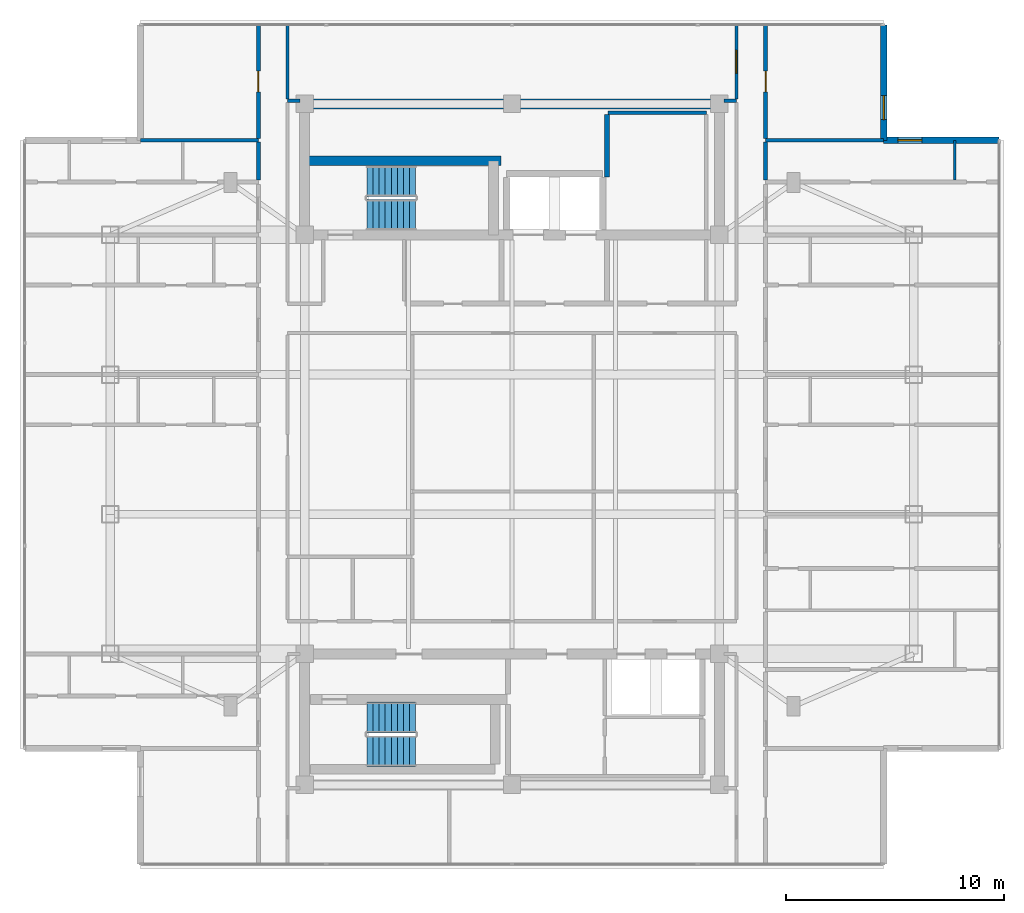
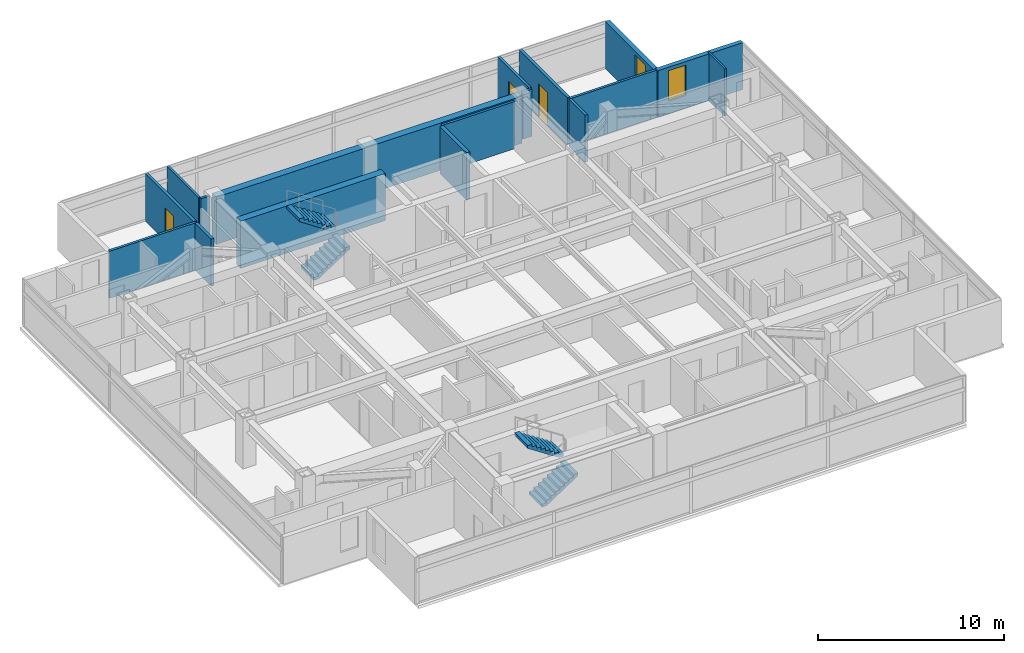
# One storey, part 11 of 14: 17 walls, 4 stair flights, 3 doors, 2 windows, 5 openings, 2 elements without a shape of their own.
"""IFC4 building model written with IfcOpenShell, lengths in metres."""

from ifc_helpers import new_model, si_unit, direction, frame, frame_2d, origin, place, context, subcontext, project, spatial, polyline, rectangle, outline, extrude, material, layer, layer_set, type_object, element, fill, aggregate, save


model = new_model("IFC4")

# Units and contexts
model_context = context("Model", 3, precision=1e-05, world=origin(), true_north=direction((0.0, 1.0)))
body_context = subcontext(model_context, "Body", "Model", "MODEL_VIEW")
ifc_project = project(units=[si_unit("LENGTHUNIT", "METRE"), si_unit("AREAUNIT", "SQUARE_METRE"), si_unit("VOLUMEUNIT", "CUBIC_METRE"), si_unit("PLANEANGLEUNIT", "RADIAN"), si_unit("MASSUNIT", "GRAM", prefix="KILO")], contexts=[model_context])

# Site, building, storey
site_placement = place(None, origin())
site = spatial("IfcSite", under=ifc_project, at=site_placement, CompositionType="ELEMENT")
building_placement = place(site_placement, origin())
building = spatial("IfcBuilding", under=site, at=building_placement, Name="Mirazonda Arch Towers", CompositionType="ELEMENT")
storey_placement = place(building_placement, frame((0.0, 0.0, 245.800048828125)))
storey = spatial("IfcBuildingStorey", under=building, at=storey_placement, Name="L70", CompositionType="ELEMENT", Elevation=245.800048828125)

# Walls
ifc_material_1 = material(Name="Concrete C50/60", Category="concrete")
ifc_layer_1 = layer(ifc_material_1, 0.449951171875, Name="WALL-CORE-450")
ifc_layer_set_1 = layer_set([ifc_layer_1], Name="Concrete C50/60")
wall_type_1 = type_object("IfcWallType", Name="WALL-CORE-450", PredefinedType="SHEAR", material=ifc_layer_set_1)
wall_1_placement = place(storey_placement, frame((11.0, 43.60009765625, 0.0), z_axis=(0.0, 0.0, 1.0), x_axis=(1.0, 0.0, 0.0)))
element("IfcWall", 1, at=wall_1_placement, inside=storey, type_object=wall_type_1, Name="L70 T1N-N Core Shear Wall", PredefinedType="SHEAR", context=body_context, shape_type="SweptSolid", body=[
    extrude(rectangle(XDim=19.0, YDim=0.449951171875, at=frame_2d((9.5, 0.0))), origin(), (0.0, 0.0, 1.0), 3.099853515625),
])
wall_2_placement = place(storey_placement, frame((11.0, 40.992919921875, 0.0), z_axis=(0.0, 0.0, 1.0), x_axis=(1.0, 0.0, 0.0)))
element("IfcWall", 2, at=wall_2_placement, inside=storey, type_object=wall_type_1, Name="L70 T1N-STN Core Shear Wall", PredefinedType="SHEAR", context=body_context, shape_type="SweptSolid", body=[
    extrude(rectangle(XDim=9.0, YDim=0.449951171875, at=frame_2d((4.5, 0.0))), origin(), (0.0, 0.0, 1.0), 3.099853515625),
])

# Wall, opening, window
ifc_material_2 = material(Name="Precast Concrete C40/50", Category="concrete")
ifc_layer_2 = layer(ifc_material_2, 0.280029296875, Name="WALL-EXT-WALL-280")
ifc_layer_set_2 = layer_set([ifc_layer_2], Name="Precast Concrete C40/50")
wall_type_2 = type_object("IfcWallType", Name="WALL-EXT-WALL-280", PredefinedType="SOLIDWALL", material=ifc_layer_set_2)
wall_3_placement = place(storey_placement, frame((37.530029296875, 41.93408203125, 0.0), z_axis=(0.0, 0.0, 1.0), x_axis=(0.0, 1.0, 0.0)))
wall_3 = element("IfcWall", 3, at=wall_3_placement, inside=storey, type_object=wall_type_2, Name="L70 T1 Notched NE Corner Wall WL-L70-T1-CNE", PredefinedType="SOLIDWALL", context=body_context, shape_type="SweptSolid", body=[
    extrude(rectangle(XDim=5.2900390625, YDim=0.280029296875, at=frame_2d((2.64501953125, 0.0))), origin(), (0.0, 0.0, 1.0), 3.079833984375),
])
opening_1_placement = place(wall_3_placement, frame((0.949951171875, 0.0, 0.85009765625)))
opening_1 = element("IfcOpeningElement", 4, at=opening_1_placement, cuts=wall_3, Name="Opening WN-108", PredefinedType="OPENING", context=body_context, shape_type="SweptSolid", body=[
    extrude(rectangle(XDim=1.10009765625, YDim=2.0, at=frame_2d((0.550048828125, 1.0))), frame((0.0, 0.14990234375, 0.0), z_axis=(0.0, -1.0, 0.0), x_axis=(1.0, 0.0, 0.0)), (0.0, 0.0, 1.0), 0.300048828125),
])
ifc_material_3 = material(Name="Insulated Low-E Solar Glass", Category="glass")
window_type = type_object("IfcWindowType", Name="WIN-NOTCH-1100x2000", PartitioningType="SINGLE_PANEL", PredefinedType="WINDOW", material=ifc_material_3)
window_1_placement = place(opening_1_placement, origin())
window_1 = element("IfcWindow", 5, at=window_1_placement, inside=storey, type_object=window_type, Name="L70 Punched Facade Window WN-L70-T1-CNE", OverallHeight=2.0, OverallWidth=1.10009765625, PartitioningType="SINGLE_PANEL", PredefinedType="WINDOW", context=body_context, shape_type="SweptSolid", body=[
    extrude(rectangle(XDim=1.10009765625, YDim=2.0, at=frame_2d((0.550048828125, 1.0))), frame((0.0, 0.030029296875, 0.0), z_axis=(0.0, -1.0, 0.0), x_axis=(1.0, 0.0, 0.0)), (0.0, 0.0, 1.0), 0.06005859375),
])
fill(opening_1, window_1)

wall_4_placement = place(storey_placement, frame((42.820068359375, 41.93408203125, 0.0), z_axis=(0.0, 0.0, 1.0), x_axis=(-1.0, 0.0, 0.0)))
wall_4 = element("IfcWall", 6, at=wall_4_placement, inside=storey, type_object=wall_type_2, Name="L70 T1 Corner Notch Return Wall WL-L70-T1-CNE2", PredefinedType="SOLIDWALL", context=body_context, shape_type="SweptSolid", body=[
    extrude(rectangle(XDim=5.2900390625, YDim=0.280029296875, at=frame_2d((2.64501953125, 0.0))), origin(), (0.0, 0.0, 1.0), 3.079833984375),
])
opening_2_placement = place(wall_4_placement, frame((3.5400390625, 0.0, 0.85009765625)))
opening_2 = element("IfcOpeningElement", 7, at=opening_2_placement, cuts=wall_4, Name="Opening WN-108", PredefinedType="OPENING", context=body_context, shape_type="SweptSolid", body=[
    extrude(rectangle(XDim=1.10009765625, YDim=2.0, at=frame_2d((0.550048828125, 1.0))), frame((0.0, 0.14990234375, 0.0), z_axis=(0.0, -1.0, 0.0), x_axis=(1.0, 0.0, 0.0)), (0.0, 0.0, 1.0), 0.300048828125),
])
window_2_placement = place(opening_2_placement, origin())
window_2 = element("IfcWindow", 8, at=window_2_placement, inside=storey, type_object=window_type, Name="L70 Punched Facade Window WN-L70-T1-CNE2", OverallHeight=2.0, OverallWidth=1.10009765625, PartitioningType="SINGLE_PANEL", PredefinedType="WINDOW", context=body_context, shape_type="SweptSolid", body=[
    extrude(rectangle(XDim=1.10009765625, YDim=2.0, at=frame_2d((0.550048828125, 1.0))), frame((0.0, 0.030029296875, 0.0), z_axis=(0.0, -1.0, 0.0), x_axis=(1.0, 0.0, 0.0)), (0.0, 0.0, 1.0), 0.06005859375),
])
fill(opening_2, window_2)

# Walls
ifc_material_4 = material(Name="Concrete C40/50", Category="concrete")
ifc_layer_3 = layer(ifc_material_4, 0.219970703125, Name="WALL-FFL-220")
ifc_layer_set_3 = layer_set([ifc_layer_3], Name="Concrete C40/50")
wall_type_3 = type_object("IfcWallType", Name="WALL-FFL-220", PredefinedType="SOLIDWALL", material=ifc_layer_set_3)
wall_5_placement = place(storey_placement, frame((24.85009765625, 40.260009765625, 0.0), z_axis=(0.0, 0.0, 1.0), x_axis=(0.0, 1.0, 0.0)))
element("IfcWall", 9, at=wall_5_placement, inside=storey, type_object=wall_type_3, Name="L70 Interior Partition 081", PredefinedType="SOLIDWALL", context=body_context, shape_type="SweptSolid", body=[
    extrude(rectangle(XDim=2.85498046875, YDim=0.219970703125, at=frame_2d((1.427490234375, 0.0))), origin(), (0.0, 0.0, 1.0), 3.099853515625),
])
ifc_material_5 = material(Name="Fire-Rated Gypsum Stud Partition")
ifc_layer_4 = layer(ifc_material_5, 0.14990234375, Name="WALL-PART-CORR-150")
ifc_layer_set_4 = layer_set([ifc_layer_4], Name="Fire-Rated Gypsum Stud Partition")
wall_type_4 = type_object("IfcWallType", Name="WALL-PART-CORR-150", PredefinedType="PARTITIONING", material=ifc_layer_set_4)
for number, where, z_axis, x_axis, name in (
    (10, (3.489990234375, 41.93408203125, 0.0), (0.0, 0.0, 1.0), (1.0, 0.0, 0.0), "L70 Interior Partition 034"),
    (11, (32.1201171875, 41.93408203125, 0.0), (0.0, 0.0, 1.0), (1.0, 0.0, 0.0), "L70 Interior Partition 035"),
):
    element("IfcWall", number, at=place(storey_placement, frame(where, z_axis=z_axis, x_axis=x_axis)), inside=storey, type_object=wall_type_4, Name=name, PredefinedType="PARTITIONING", context=body_context, shape_type="SweptSolid", body=[
        extrude(rectangle(XDim=5.389892578125, YDim=0.14990234375, at=frame_2d((2.69482421875, 0.0))), origin(), (0.0, 0.0, 1.0), 3.099853515625),
    ])
wall_6_placement = place(storey_placement, frame((24.89990234375, 43.199951171875, 0.0), z_axis=(0.0, 0.0, 1.0), x_axis=(1.0, 0.0, 0.0)))
element("IfcWall", 12, at=wall_6_placement, inside=storey, type_object=wall_type_4, Name="L70 Interior Partition 036", PredefinedType="PARTITIONING", context=body_context, shape_type="SweptSolid", body=[
    extrude(rectangle(XDim=4.5, YDim=0.14990234375, at=frame_2d((2.25, 0.0))), origin(), (0.0, 0.0, 1.0), 3.099853515625),
])
for number, where, z_axis, x_axis, name in (
    (13, (10.219970703125, 43.75, 0.0), (0.0, 0.0, 1.0), (1.0, 0.0, 0.0), "L70 Interior Partition 037"),
    (14, (30.219970703125, 43.75, 0.0), (0.0, 0.0, 1.0), (1.0, 0.0, 0.0), "L70 Interior Partition 038"),
):
    element("IfcWall", number, at=place(storey_placement, frame(where, z_axis=z_axis, x_axis=x_axis)), inside=storey, type_object=wall_type_4, Name=name, PredefinedType="PARTITIONING", context=body_context, shape_type="SweptSolid", body=[
        extrude(rectangle(XDim=0.56005859375, YDim=0.14990234375, at=frame_2d((0.280029296875, 0.0))), origin(), (0.0, 0.0, 1.0), 3.099853515625),
    ])
wall_7_placement = place(storey_placement, frame((10.219970703125, 43.8349609375, 0.0), z_axis=(0.0, 0.0, 1.0), x_axis=(0.0, 1.0, 0.0)))
element("IfcWall", 15, at=wall_7_placement, inside=storey, type_object=wall_type_4, Name="L70 Interior Partition 062", PredefinedType="PARTITIONING", context=body_context, shape_type="SweptSolid", body=[
    extrude(rectangle(XDim=3.38916015625, YDim=0.14990234375, at=frame_2d((1.694580078125, 0.0))), origin(), (0.0, 0.0, 1.0), 3.099853515625),
])

# Wall, opening, door
wall_8_placement = place(storey_placement, frame((30.780029296875, 43.8349609375, 0.0), z_axis=(0.0, 0.0, 1.0), x_axis=(0.0, 1.0, 0.0)))
wall_8 = element("IfcWall", 16, at=wall_8_placement, inside=storey, type_object=wall_type_4, Name="L70 Interior Partition 091", PredefinedType="PARTITIONING", context=body_context, shape_type="SweptSolid", body=[
    extrude(rectangle(XDim=3.38916015625, YDim=0.14990234375, at=frame_2d((1.694580078125, 0.0))), origin(), (0.0, 0.0, 1.0), 3.099853515625),
])
opening_3_placement = place(wall_8_placement, frame((1.16943359375, 0.0, 0.0)))
opening_3 = element("IfcOpeningElement", 17, at=opening_3_placement, cuts=wall_8, Name="Opening DR-121", PredefinedType="OPENING", context=body_context, shape_type="SweptSolid", body=[
    extrude(rectangle(XDim=1.050048828125, YDim=2.199951171875, at=frame_2d((0.52490234375, 1.10009765625))), frame((0.0, 0.0849609375, 0.0), z_axis=(0.0, -1.0, 0.0), x_axis=(1.0, 0.0, 0.0)), (0.0, 0.0, 1.0), 0.169921875),
])
ifc_material_6 = material(Name="Architectural Brushed Steel S355", Category="steel")
door_type_1 = type_object("IfcDoorType", Name="DOOR-SUITE-FD60-1050", OperationType="NOTDEFINED", PredefinedType="DOOR", material=ifc_material_6)
door_1_placement = place(opening_3_placement, origin())
door_1 = element("IfcDoor", 18, at=door_1_placement, inside=storey, type_object=door_type_1, Name="L70 North Bay Sunroom Suite Door", OperationType="SINGLE_SWING_RIGHT", OverallHeight=2.199951171875, OverallWidth=1.050048828125, PredefinedType="DOOR", context=body_context, shape_type="SweptSolid", body=[
    extrude(rectangle(XDim=1.050048828125, YDim=2.199951171875, at=frame_2d((0.52490234375, 1.10009765625))), frame((0.0, 0.02490234375, 0.0), z_axis=(0.0, -1.0, 0.0), x_axis=(1.0, 0.0, 0.0)), (0.0, 0.0, 1.0), 0.050048828125),
])
fill(opening_3, door_1)

# Wall
ifc_material_7 = material(Name="Fire-Rated Gypsum Twin-Stud Assembly")
ifc_layer_5 = layer(ifc_material_7, 0.179931640625, Name="WALL-PART-DEMISE-180")
ifc_layer_set_5 = layer_set([ifc_layer_5], Name="Fire-Rated Gypsum Twin-Stud Assembly")
wall_type_5 = type_object("IfcWallType", Name="WALL-PART-DEMISE-180", PredefinedType="PARTITIONING", material=ifc_layer_set_5)
wall_9_placement = place(storey_placement, frame((8.8798828125, 40.114013671875, 0.0), z_axis=(0.0, 0.0, 1.0), x_axis=(0.0, 1.0, 0.0)))
element("IfcWall", 19, at=wall_9_placement, inside=storey, type_object=wall_type_5, Name="L70 Interior Partition 055", PredefinedType="PARTITIONING", context=body_context, shape_type="SweptSolid", body=[
    extrude(rectangle(XDim=1.735107421875, YDim=0.179931640625, at=frame_2d((0.86767578125, 0.0))), origin(), (0.0, 0.0, 1.0), 3.099853515625),
])

# Wall, opening, door
wall_10_placement = place(storey_placement, frame((8.8798828125, 42.01904296875, 0.0), z_axis=(0.0, 0.0, 1.0), x_axis=(0.0, 1.0, 0.0)))
wall_10 = element("IfcWall", 20, at=wall_10_placement, inside=storey, type_object=wall_type_5, Name="L70 Interior Partition 056", PredefinedType="PARTITIONING", context=body_context, shape_type="SweptSolid", body=[
    extrude(rectangle(XDim=5.205078125, YDim=0.179931640625, at=frame_2d((2.6025390625, 0.0))), origin(), (0.0, 0.0, 1.0), 3.099853515625),
])
opening_4_placement = place(wall_10_placement, frame((2.12744140625, 0.0, 0.0)))
opening_4 = element("IfcOpeningElement", 21, at=opening_4_placement, cuts=wall_10, Name="Opening DR-104", PredefinedType="OPENING", context=body_context, shape_type="SweptSolid", body=[
    extrude(rectangle(XDim=0.949951171875, YDim=2.14990234375, at=frame_2d((0.47509765625, 1.074951171875))), frame((0.0, 0.099853515625, 0.0), z_axis=(0.0, -1.0, 0.0), x_axis=(1.0, 0.0, 0.0)), (0.0, 0.0, 1.0), 0.199951171875),
])
door_type_2 = type_object("IfcDoorType", Name="DOOR-ROOM-950", OperationType="NOTDEFINED", PredefinedType="DOOR", material=ifc_material_6)
door_2_placement = place(opening_4_placement, origin())
door_2 = element("IfcDoor", 22, at=door_2_placement, inside=storey, type_object=door_type_2, Name="L70 North Bay Sunroom Alcove West Door", OperationType="SINGLE_SWING_LEFT", OverallHeight=2.14990234375, OverallWidth=0.949951171875, PredefinedType="DOOR", context=body_context, shape_type="SweptSolid", body=[
    extrude(rectangle(XDim=0.949951171875, YDim=2.14990234375, at=frame_2d((0.47509765625, 1.074951171875))), frame((0.0, 0.02490234375, 0.0), z_axis=(0.0, -1.0, 0.0), x_axis=(1.0, 0.0, 0.0)), (0.0, 0.0, 1.0), 0.050048828125),
])
fill(opening_4, door_2)

# Wall
wall_11_placement = place(storey_placement, frame((32.1201171875, 40.114013671875, 0.0), z_axis=(0.0, 0.0, 1.0), x_axis=(0.0, 1.0, 0.0)))
element("IfcWall", 23, at=wall_11_placement, inside=storey, type_object=wall_type_5, Name="L70 Interior Partition 102", PredefinedType="PARTITIONING", context=body_context, shape_type="SweptSolid", body=[
    extrude(rectangle(XDim=1.735107421875, YDim=0.179931640625, at=frame_2d((0.86767578125, 0.0))), origin(), (0.0, 0.0, 1.0), 3.099853515625),
])

# Wall, opening, door
wall_12_placement = place(storey_placement, frame((32.1201171875, 42.01904296875, 0.0), z_axis=(0.0, 0.0, 1.0), x_axis=(0.0, 1.0, 0.0)))
wall_12 = element("IfcWall", 24, at=wall_12_placement, inside=storey, type_object=wall_type_5, Name="L70 Interior Partition 103", PredefinedType="PARTITIONING", context=body_context, shape_type="SweptSolid", body=[
    extrude(rectangle(XDim=5.205078125, YDim=0.179931640625, at=frame_2d((2.6025390625, 0.0))), origin(), (0.0, 0.0, 1.0), 3.099853515625),
])
opening_5_placement = place(wall_12_placement, frame((2.12744140625, 0.0, 0.0)))
opening_5 = element("IfcOpeningElement", 25, at=opening_5_placement, cuts=wall_12, Name="Opening DR-104", PredefinedType="OPENING", context=body_context, shape_type="SweptSolid", body=[
    extrude(rectangle(XDim=0.949951171875, YDim=2.14990234375, at=frame_2d((0.47509765625, 1.074951171875))), frame((0.0, 0.099853515625, 0.0), z_axis=(0.0, -1.0, 0.0), x_axis=(1.0, 0.0, 0.0)), (0.0, 0.0, 1.0), 0.199951171875),
])
door_3_placement = place(opening_5_placement, origin())
door_3 = element("IfcDoor", 26, at=door_3_placement, inside=storey, type_object=door_type_2, Name="L70 North Bay Sunroom Alcove East Door", OperationType="SINGLE_SWING_RIGHT", OverallHeight=2.14990234375, OverallWidth=0.949951171875, PredefinedType="DOOR", context=body_context, shape_type="SweptSolid", body=[
    extrude(rectangle(XDim=0.949951171875, YDim=2.14990234375, at=frame_2d((0.47509765625, 1.074951171875))), frame((0.0, 0.02490234375, 0.0), z_axis=(0.0, -1.0, 0.0), x_axis=(1.0, 0.0, 0.0)), (0.0, 0.0, 1.0), 0.050048828125),
])
fill(opening_5, door_3)

# Wall
ifc_material_8 = material(Name="Acoustic Fire-Rated Gypsum Partition")
ifc_layer_6 = layer(ifc_material_8, 0.125, Name="WALL-PART-UNIT-125")
ifc_layer_set_6 = layer_set([ifc_layer_6], Name="Acoustic Fire-Rated Gypsum Partition")
wall_type_6 = type_object("IfcWallType", Name="WALL-PART-UNIT-125", PredefinedType="PARTITIONING", material=ifc_layer_set_6)
wall_13_placement = place(storey_placement, frame((40.780029296875, 40.114013671875, 0.0), z_axis=(0.0, 0.0, 1.0), x_axis=(0.0, 1.0, 0.0)))
element("IfcWall", 27, at=wall_13_placement, inside=storey, type_object=wall_type_6, Name="L70 Interior Partition 108", PredefinedType="PARTITIONING", context=body_context, shape_type="SweptSolid", body=[
    extrude(rectangle(XDim=1.820068359375, YDim=0.125, at=frame_2d((0.91015625, 0.0))), origin(), (0.0, 0.0, 1.0), 3.099853515625),
])

# Stair, stair flights
stair_type = type_object("IfcStairType", Name="STAIR-CORE-1400", PredefinedType="HALF_TURN_STAIR", material=ifc_material_4)
stair_1_placement = place(storey_placement, origin())
stair_1 = element("IfcStair", 28, at=stair_1_placement, inside=storey, type_object=stair_type, Name="L70 Protected Exit Stair ST-T1N", PredefinedType="HALF_TURN_STAIR")
stair_flight_type = type_object("IfcStairFlightType", Name="FLIGHT-1400", PredefinedType="STRAIGHT", material=ifc_material_4)
stair_flight_1_placement = place(storey_placement, frame((13.85009765625, 38.52001953125, 0.0), z_axis=(0.0, 0.0, 1.0), x_axis=(1.0, 0.0, 0.0)))
stair_flight_1 = element("IfcStairFlight", 29, at=stair_flight_1_placement, type_object=stair_flight_type, Name="ST-T1N flight 1", NumberOfRisers=9, NumberOfTreads=8, PredefinedType="STRAIGHT", RiserHeight=0.183333333, TreadLength=0.28, context=body_context, shape_type="SweptSolid", body=[
    extrude(outline(polyline([(0.0, 0.0), (0.0, 0.183349609375), (0.280029296875, 0.183349609375), (0.280029296875, 0.36669921875), (0.56005859375, 0.36669921875), (0.56005859375, 0.550048828125), (0.840087890625, 0.550048828125), (0.840087890625, 0.7333984375), (1.1201171875, 0.7333984375), (1.1201171875, 0.916748046875), (1.39990234375, 0.916748046875), (1.39990234375, 1.10009765625), (1.679931640625, 1.10009765625), (1.679931640625, 1.283447265625), (1.9599609375, 1.283447265625), (1.9599609375, 1.466552734375), (2.239990234375, 1.466552734375), (2.239990234375, 1.64990234375), (2.239990234375, 1.275634765625), (0.2919921875, 0.0), (0.0, 0.0)])), frame((0.0, 0.699951171875, 0.0), z_axis=(0.0, -1.0, 0.0), x_axis=(1.0, 0.0, 0.0)), (0.0, 0.0, 1.0), 1.39990234375),
])
stair_flight_2_placement = place(storey_placement, frame((16.090087890625, 40.06005859375, 1.64990234375), z_axis=(0.0, 0.0, 1.0), x_axis=(-1.0, 0.0, 0.0)))
stair_flight_2 = element("IfcStairFlight", 30, at=stair_flight_2_placement, type_object=stair_flight_type, Name="ST-T1N flight 2", NumberOfRisers=9, NumberOfTreads=8, PredefinedType="STRAIGHT", RiserHeight=0.183333333, TreadLength=0.28, context=body_context, shape_type="SweptSolid", body=[
    extrude(outline(polyline([(0.0, 0.0), (0.0, 0.183349609375), (0.280029296875, 0.183349609375), (0.280029296875, 0.36669921875), (0.56005859375, 0.36669921875), (0.56005859375, 0.550048828125), (0.840087890625, 0.550048828125), (0.840087890625, 0.7333984375), (1.1201171875, 0.7333984375), (1.1201171875, 0.916748046875), (1.39990234375, 0.916748046875), (1.39990234375, 1.10009765625), (1.679931640625, 1.10009765625), (1.679931640625, 1.283447265625), (1.9599609375, 1.283447265625), (1.9599609375, 1.466552734375), (2.239990234375, 1.466552734375), (2.239990234375, 1.64990234375), (2.239990234375, 1.275634765625), (0.2919921875, 0.0), (0.0, 0.0)])), frame((0.0, 0.699951171875, 0.0), z_axis=(0.0, -1.0, 0.0), x_axis=(1.0, 0.0, 0.0)), (0.0, 0.0, 1.0), 1.39990234375),
])
aggregate(stair_1, [stair_flight_1, stair_flight_2])

stair_2_placement = place(storey_placement, origin())
stair_2 = element("IfcStair", 31, at=stair_2_placement, inside=storey, type_object=stair_type, Name="L70 Protected Exit Stair ST-T1S", PredefinedType="HALF_TURN_STAIR")
stair_flight_3_placement = place(storey_placement, frame((13.85009765625, 13.949951171875, 0.0), z_axis=(0.0, 0.0, 1.0), x_axis=(1.0, 0.0, 0.0)))
stair_flight_3 = element("IfcStairFlight", 32, at=stair_flight_3_placement, type_object=stair_flight_type, Name="ST-T1S flight 1", NumberOfRisers=9, NumberOfTreads=8, PredefinedType="STRAIGHT", RiserHeight=0.183333333, TreadLength=0.28, context=body_context, shape_type="SweptSolid", body=[
    extrude(outline(polyline([(0.0, 0.0), (0.0, 0.183349609375), (0.280029296875, 0.183349609375), (0.280029296875, 0.36669921875), (0.56005859375, 0.36669921875), (0.56005859375, 0.550048828125), (0.840087890625, 0.550048828125), (0.840087890625, 0.7333984375), (1.1201171875, 0.7333984375), (1.1201171875, 0.916748046875), (1.39990234375, 0.916748046875), (1.39990234375, 1.10009765625), (1.679931640625, 1.10009765625), (1.679931640625, 1.283447265625), (1.9599609375, 1.283447265625), (1.9599609375, 1.466552734375), (2.239990234375, 1.466552734375), (2.239990234375, 1.64990234375), (2.239990234375, 1.275634765625), (0.2919921875, 0.0), (0.0, 0.0)])), frame((0.0, 0.699951171875, 0.0), z_axis=(0.0, -1.0, 0.0), x_axis=(1.0, 0.0, 0.0)), (0.0, 0.0, 1.0), 1.39990234375),
])
stair_flight_4_placement = place(storey_placement, frame((16.090087890625, 15.489990234375, 1.64990234375), z_axis=(0.0, 0.0, 1.0), x_axis=(-1.0, 0.0, 0.0)))
stair_flight_4 = element("IfcStairFlight", 33, at=stair_flight_4_placement, type_object=stair_flight_type, Name="ST-T1S flight 2", NumberOfRisers=9, NumberOfTreads=8, PredefinedType="STRAIGHT", RiserHeight=0.183333333, TreadLength=0.28, context=body_context, shape_type="SweptSolid", body=[
    extrude(outline(polyline([(0.0, 0.0), (0.0, 0.183349609375), (0.280029296875, 0.183349609375), (0.280029296875, 0.36669921875), (0.56005859375, 0.36669921875), (0.56005859375, 0.550048828125), (0.840087890625, 0.550048828125), (0.840087890625, 0.7333984375), (1.1201171875, 0.7333984375), (1.1201171875, 0.916748046875), (1.39990234375, 0.916748046875), (1.39990234375, 1.10009765625), (1.679931640625, 1.10009765625), (1.679931640625, 1.283447265625), (1.9599609375, 1.283447265625), (1.9599609375, 1.466552734375), (2.239990234375, 1.466552734375), (2.239990234375, 1.64990234375), (2.239990234375, 1.275634765625), (0.2919921875, 0.0), (0.0, 0.0)])), frame((0.0, 0.699951171875, 0.0), z_axis=(0.0, -1.0, 0.0), x_axis=(1.0, 0.0, 0.0)), (0.0, 0.0, 1.0), 1.39990234375),
])
aggregate(stair_2, [stair_flight_3, stair_flight_4])

save(model, "model.ifc")
